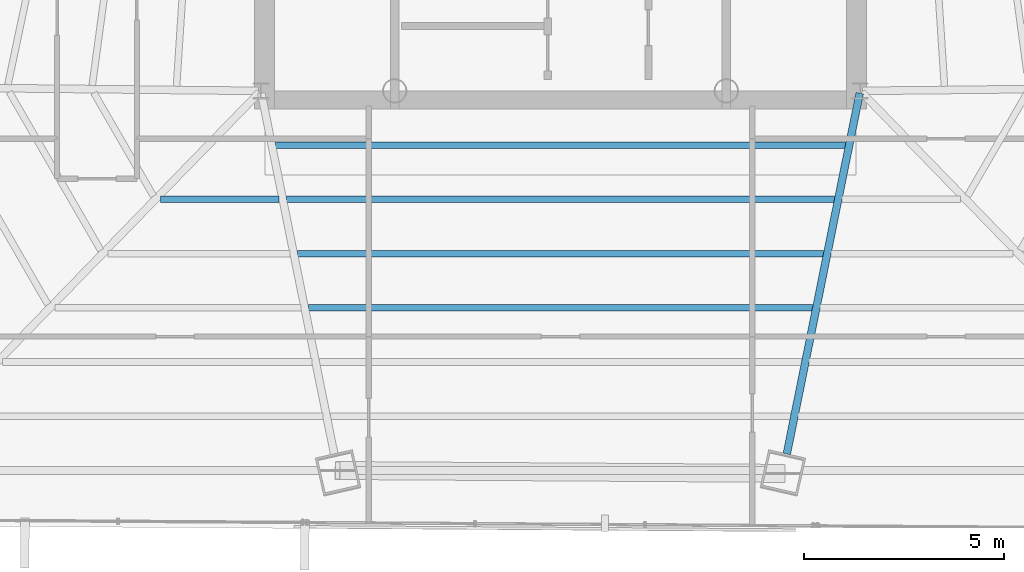
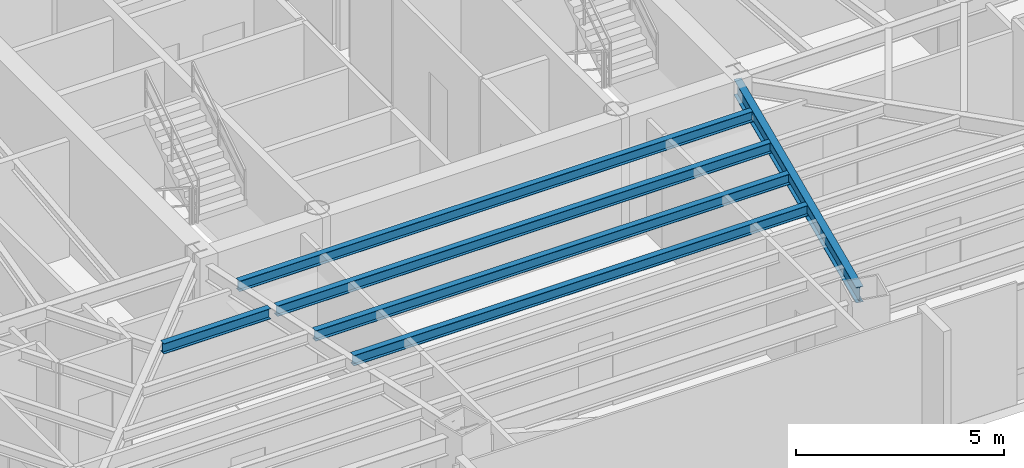
# One storey, part 11 of 41: 6 beams.
"""IFC4 building model written with IfcOpenShell, lengths in metres."""

from ifc_helpers import new_model, si_unit, direction, frame, origin, origin_2d, place, context, subcontext, project, spatial, i_section, extrude, source, transform, mapped, material, material_profile, profile_set, type_object, type_shapes, element, save


model = new_model("IFC4")

# Units and contexts
model_context = context("Model", 3, precision=1e-05, world=origin(), true_north=direction((0.0, 1.0)))
body_context = subcontext(model_context, "Body", "Model", "MODEL_VIEW")
ifc_project = project(units=[si_unit("LENGTHUNIT", "METRE"), si_unit("AREAUNIT", "SQUARE_METRE"), si_unit("VOLUMEUNIT", "CUBIC_METRE"), si_unit("PLANEANGLEUNIT", "RADIAN"), si_unit("MASSUNIT", "GRAM", prefix="KILO")], contexts=[model_context])

# Site, building, storey
site_placement = place(None, origin())
site = spatial("IfcSite", under=ifc_project, at=site_placement, CompositionType="ELEMENT")
building_placement = place(site_placement, origin())
building = spatial("IfcBuilding", under=site, at=building_placement, Name="Caelisora Broadcast Tower", CompositionType="ELEMENT")
storey_placement = place(building_placement, frame((0.0, 0.0, 180.39990234375)))
storey = spatial("IfcBuildingStorey", under=building, at=storey_placement, Name="L47", CompositionType="ELEMENT", Elevation=180.39990234375)

# Beams
ifc_material = material(Name="Steel Grade 350 (AS/NZS 3679.1)", Category="steel")
ifc_material_profile_1 = material_profile(ifc_material, i_section(OverallWidth=0.19091796875, OverallDepth=0.46044921875, WebThickness=0.010009765625, FlangeThickness=0.01611328125, at=origin_2d()), Name="Steel Grade 350 (AS/NZS 3679.1)")
ifc_profile_set_1 = profile_set([ifc_material_profile_1], Name="Steel Grade 350 (AS/NZS 3679.1)")
beam_type_1 = type_object("IfcBeamType", Name="PG06", PredefinedType="BEAM", material=ifc_profile_set_1)
shared_shape_1 = source(origin(), body_context, "Body", "SweptSolid", [
    extrude(i_section(OverallWidth=0.19091796875, OverallDepth=0.46044921875, WebThickness=0.010009765625, FlangeThickness=0.01611328125, at=origin_2d()), origin(), (0.0, 0.0, 1.0), 9.21337890625),
])
type_shapes(beam_type_1, [shared_shape_1])
beam_1_placement = place(storey_placement, frame((45.488037109375, 17.34130859375, 3.169921875), z_axis=(-0.198077664412, -0.980186328644, 0.0), x_axis=(0.980186328644, -0.198077664412, 0.0)))
element("IfcBeam", 1, at=beam_1_placement, inside=storey, type_object=beam_type_1, Name="L47 beam PG06", PredefinedType="BEAM", context=body_context, shape_type="MappedRepresentation", body=[
    mapped(shared_shape_1, transform((0.0, 0.0, 0.0), scale=1.0)),
])
ifc_material_profile_2 = material_profile(ifc_material, i_section(OverallWidth=0.166015625, OverallDepth=0.30712890625, WebThickness=0.006591796875, FlangeThickness=0.01171875, at=origin_2d()), Name="Steel Grade 350 (AS/NZS 3679.1)")
ifc_profile_set_2 = profile_set([ifc_material_profile_2], Name="Steel Grade 350 (AS/NZS 3679.1)")
beam_type_2 = type_object("IfcBeamType", Name="SB03", PredefinedType="JOIST", material=ifc_profile_set_2)
shared_shape_2 = source(origin(), body_context, "Body", "SweptSolid", [
    extrude(i_section(OverallWidth=0.166015625, OverallDepth=0.30712890625, WebThickness=0.006591796875, FlangeThickness=0.01171875, at=origin_2d()), origin(), (0.0, 0.0, 1.0), 2.963623046875),
])
beam_2_placement = place(storey_placement, frame((27.990478515625, 14.685302734375, 3.24658203125), z_axis=(1.0, 0.0, 0.0), x_axis=(0.0, 1.0, 0.0)))
element("IfcBeam", 2, at=beam_2_placement, inside=storey, type_object=beam_type_2, Name="L47 beam SB03", PredefinedType="JOIST", context=body_context, shape_type="MappedRepresentation", body=[
    mapped(shared_shape_2, transform((0.0, 0.0, 0.0), scale=1.0)),
])
shared_shape_3 = source(origin(), body_context, "Body", "SweptSolid", [
    extrude(i_section(OverallWidth=0.166015625, OverallDepth=0.30712890625, WebThickness=0.006591796875, FlangeThickness=0.01171875, at=origin_2d()), origin(), (0.0, 0.0, 1.0), 14.2626953125),
])
beam_3_placement = place(storey_placement, frame((30.86865234375, 16.042724609375, 3.24658203125), z_axis=(1.0, 0.0, 0.0), x_axis=(0.0, 1.0, 0.0)))
element("IfcBeam", 3, at=beam_3_placement, inside=storey, type_object=beam_type_2, Name="L47 beam SB03", PredefinedType="JOIST", context=body_context, shape_type="MappedRepresentation", body=[
    mapped(shared_shape_3, transform((0.0, 0.0, 0.0), scale=1.0)),
])
shared_shape_4 = source(origin(), body_context, "Body", "SweptSolid", [
    extrude(i_section(OverallWidth=0.166015625, OverallDepth=0.30712890625, WebThickness=0.006591796875, FlangeThickness=0.01171875, at=origin_2d()), origin(), (0.0, 0.0, 1.0), 13.7138671875),
])
beam_4_placement = place(storey_placement, frame((31.14306640625, 14.685302734375, 3.24658203125), z_axis=(1.0, 0.0, 0.0), x_axis=(0.0, 1.0, 0.0)))
element("IfcBeam", 4, at=beam_4_placement, inside=storey, type_object=beam_type_2, Name="L47 beam SB03", PredefinedType="JOIST", context=body_context, shape_type="MappedRepresentation", body=[
    mapped(shared_shape_4, transform((0.0, 0.0, 0.0), scale=1.0)),
])
shared_shape_5 = source(origin(), body_context, "Body", "SweptSolid", [
    extrude(i_section(OverallWidth=0.166015625, OverallDepth=0.30712890625, WebThickness=0.006591796875, FlangeThickness=0.01171875, at=origin_2d()), origin(), (0.0, 0.0, 1.0), 13.16552734375),
])
beam_5_placement = place(storey_placement, frame((31.417236328125, 13.328125, 3.24658203125), z_axis=(1.0, 0.0, 0.0), x_axis=(0.0, 1.0, 0.0)))
element("IfcBeam", 5, at=beam_5_placement, inside=storey, type_object=beam_type_2, Name="L47 beam SB03", PredefinedType="JOIST", context=body_context, shape_type="MappedRepresentation", body=[
    mapped(shared_shape_5, transform((0.0, 0.0, 0.0), scale=1.0)),
])
shared_shape_6 = source(origin(), body_context, "Body", "SweptSolid", [
    extrude(i_section(OverallWidth=0.166015625, OverallDepth=0.30712890625, WebThickness=0.006591796875, FlangeThickness=0.01171875, at=origin_2d()), origin(), (0.0, 0.0, 1.0), 12.61669921875),
])
type_shapes(beam_type_2, [shared_shape_2, shared_shape_3, shared_shape_4, shared_shape_5, shared_shape_6])
beam_6_placement = place(storey_placement, frame((31.691650390625, 11.970703125, 3.24658203125), z_axis=(1.0, 0.0, 0.0), x_axis=(0.0, 1.0, 0.0)))
element("IfcBeam", 6, at=beam_6_placement, inside=storey, type_object=beam_type_2, Name="L47 beam SB03", PredefinedType="JOIST", context=body_context, shape_type="MappedRepresentation", body=[
    mapped(shared_shape_6, transform((0.0, 0.0, 0.0), scale=1.0)),
])

save(model, "model.ifc")
